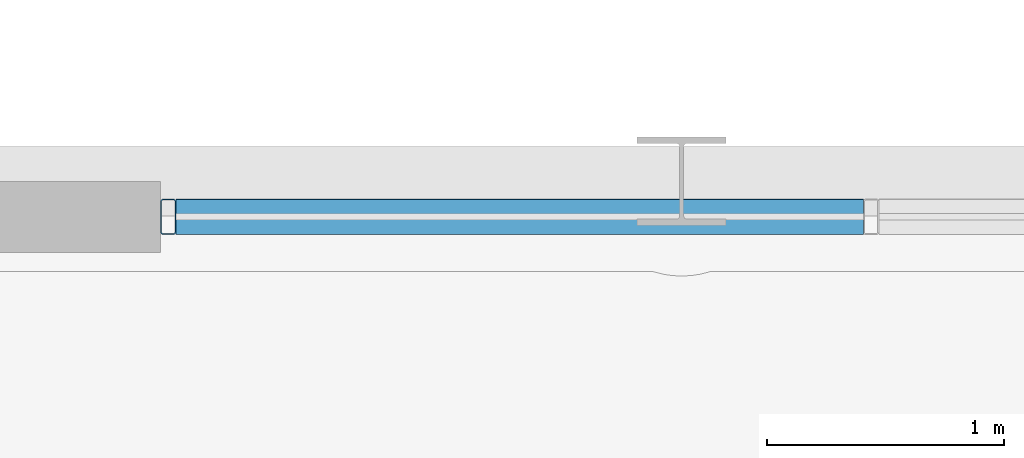
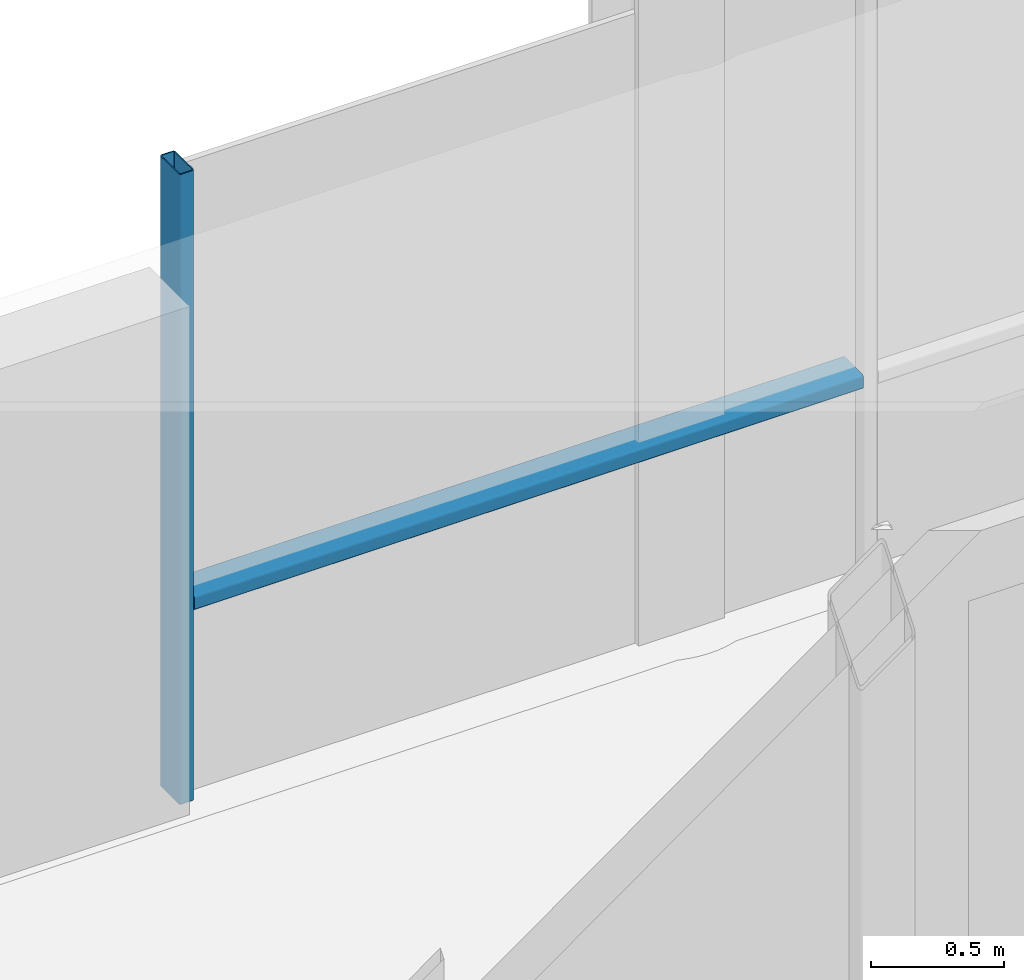
# One storey, part 10 of 35: 2 members, 1 element without a shape of its own.
"""IFC4 building model written with IfcOpenShell, lengths in metres."""

from ifc_helpers import new_model, si_unit, direction, frame, origin, origin_2d, place, context, subcontext, project, spatial, hollow_rectangle, extrude, material, layer, layer_set, material_profile, profile_set, type_object, element, aggregate, save


model = new_model("IFC4")

# Units and contexts
model_context = context("Model", 3, precision=1e-05, world=origin(), true_north=direction((0.0, 1.0)))
body_context = subcontext(model_context, "Body", "Model", "MODEL_VIEW")
ifc_project = project(units=[si_unit("LENGTHUNIT", "METRE"), si_unit("AREAUNIT", "SQUARE_METRE"), si_unit("VOLUMEUNIT", "CUBIC_METRE"), si_unit("PLANEANGLEUNIT", "RADIAN"), si_unit("MASSUNIT", "GRAM", prefix="KILO")], contexts=[model_context])

# Site, building, storey
site_placement = place(None, origin())
site = spatial("IfcSite", under=ifc_project, at=site_placement, CompositionType="ELEMENT")
building_placement = place(site_placement, origin())
building = spatial("IfcBuilding", under=site, at=building_placement, Name="Brevholm Reach", CompositionType="ELEMENT")
storey_placement = place(building_placement, frame((0.0, 0.0, 218.0)))
storey = spatial("IfcBuildingStorey", under=building, at=storey_placement, Name="L66", CompositionType="ELEMENT", Elevation=218.0)

# Curtain wall, members
ifc_material_1 = material(Name="Dark Anodised Aluminium 6063-T6 and Solar-Control Glass", Category="aluminium")
ifc_layer = layer(ifc_material_1, 0.14990234375)
ifc_layer_set = layer_set([ifc_layer], Name="Dark Anodised Aluminium 6063-T6 and Solar-Control Glass")
curtain_wall_type = type_object("IfcCurtainWallType", Name="CW-01", PredefinedType="NOTDEFINED", material=ifc_layer_set)
curtain_wall_placement = place(storey_placement, origin())
curtain_wall = element("IfcCurtainWall", 1, at=curtain_wall_placement, inside=storey, type_object=curtain_wall_type, Name="L66 Curtain Wall CW-01", PredefinedType="NOTDEFINED")
ifc_material_2 = material(Name="Dark Anodised Aluminium 6063-T6", Category="aluminium")
ifc_material_profile_1 = material_profile(ifc_material_2, hollow_rectangle(XDim=0.06494140625, YDim=0.14990234375, WallThickness=0.0048828125, InnerFilletRadius=0.0048828125, OuterFilletRadius=0.010009765625, at=origin_2d()), Name="RHS 150x65x5")
ifc_profile_set_1 = profile_set([ifc_material_profile_1], Name="Dark Anodised Aluminium 6063-T6")
member_type_1 = type_object("IfcMemberType", Name="CWM-150", PredefinedType="MULLION", material=ifc_profile_set_1)
member_1_placement = place(storey_placement, frame((27.83251953125, 26.35009765625, 0.0), z_axis=(0.0, 0.0, 1.0), x_axis=(1.0, 0.0, 0.0)))
member_1 = element("IfcMember", 2, at=member_1_placement, type_object=member_type_1, Name="CM-150 Mullion 1", PredefinedType="MULLION", context=body_context, shape_type="SweptSolid", body=[
    extrude(hollow_rectangle(XDim=0.06494140625, YDim=0.14990234375, WallThickness=0.0048828125, InnerFilletRadius=0.0048828125, OuterFilletRadius=0.010009765625, at=origin_2d()), origin(), (0.0, 0.0, 1.0), 2.889892578125),
])
ifc_material_3 = material(Name="Dark Anodised Aluminium 6063-T6", Category="aluminium")
ifc_material_profile_2 = material_profile(ifc_material_3, hollow_rectangle(XDim=0.06494140625, YDim=0.14990234375, WallThickness=0.0048828125, InnerFilletRadius=0.0048828125, OuterFilletRadius=0.010009765625, at=origin_2d()), Name="RHS 150x65x5")
ifc_profile_set_2 = profile_set([ifc_material_profile_2], Name="Dark Anodised Aluminium 6063-T6")
member_type_2 = type_object("IfcMemberType", Name="CWT-150", PredefinedType="NOTDEFINED", material=ifc_profile_set_2)
member_2_placement = place(storey_placement, frame((27.864990234375, 26.35009765625, 0.89990234375), z_axis=(1.0, 0.0, 0.0), x_axis=(0.0, 0.0, 1.0)))
member_2 = element("IfcMember", 3, at=member_2_placement, type_object=member_type_2, Name="CT-150 Transom 1.1", ObjectType="TRANSOM", PredefinedType="USERDEFINED", context=body_context, shape_type="SweptSolid", body=[
    extrude(hollow_rectangle(XDim=0.06494140625, YDim=0.14990234375, WallThickness=0.0048828125, InnerFilletRadius=0.0048828125, OuterFilletRadius=0.010009765625, at=origin_2d()), origin(), (0.0, 0.0, 1.0), 2.902587890625),
])
aggregate(curtain_wall, [member_1, member_2])

save(model, "model.ifc")
